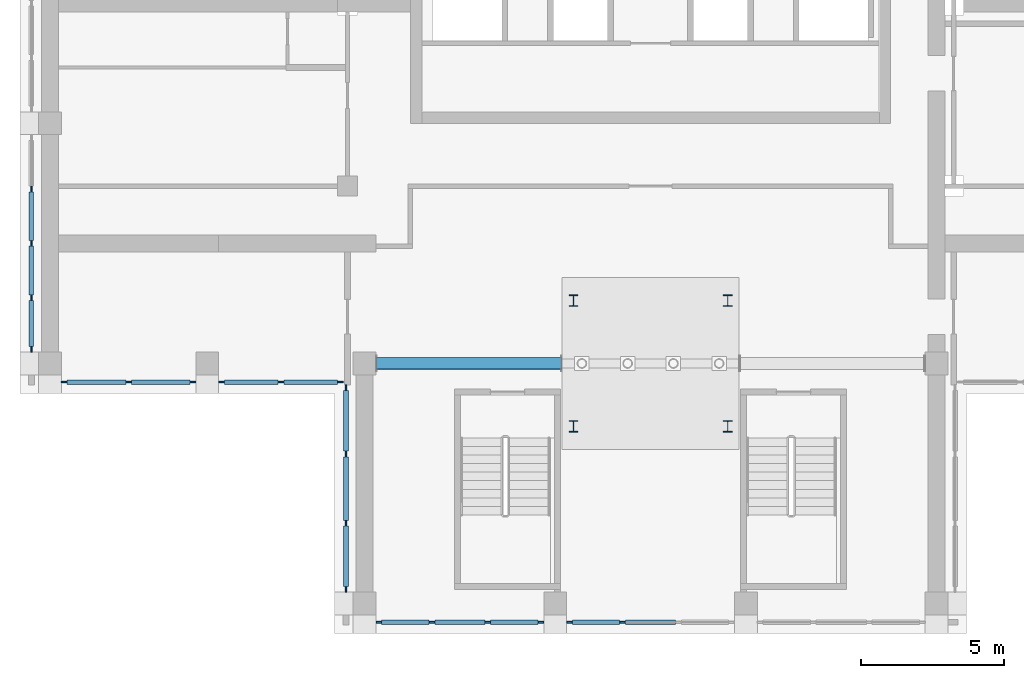
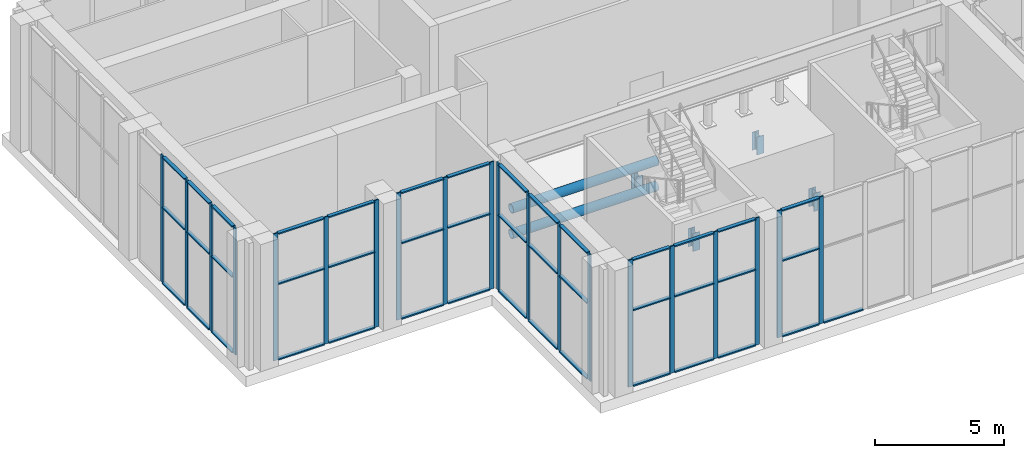
# One storey, part 2 of 14: 65 members, 4 columns, 6 elements without a shape of their own.
"""IFC4 building model written with IfcOpenShell, lengths in metres."""

import ifcopenshell
import ifcopenshell.guid

model = None  # the IFC model being written
_history = None  # IfcOwnerHistory: only IFC2X3 demands one
_inside = {}  # id of a spatial element -> (the spatial element, [elements in it])
_under = {}  # id of a project, library or spatial element -> (it, [spatial elements below it])
_declared = {}  # id of a project -> (the project, [libraries it declares])
_typed = {}  # id of a type object -> (the type object, [elements of that type])
_made_of = {}  # id of a material, layer set ... -> (it, [elements and type objects made of it])


def new_model(schema):
    """Start an empty IFC model of exactly this schema.

    Asked for "IFC4X3", IfcOpenShell would pick the latest addendum, in which some entities
    have other attributes; the version numbers below select the first issue.
    IFC2X3 requires an IfcOwnerHistory on every rooted entity: one is made here for all.
    """
    global model, _history
    if schema == "IFC4X3":
        model = ifcopenshell.file(schema_version=(4, 3, 0, 0))
    else:
        model = ifcopenshell.file(schema=schema)
    _inside.clear()
    _under.clear()
    _declared.clear()
    _typed.clear()
    _made_of.clear()
    _history = None
    if model.schema == "IFC2X3":
        org = make("IfcOrganization", Name="unknown")
        user = make(
            "IfcPersonAndOrganization",
            ThePerson=make("IfcPerson", FamilyName="unknown"),
            TheOrganization=org,
        )
        app = make(
            "IfcApplication",
            ApplicationDeveloper=org,
            Version="unknown",
            ApplicationFullName="unknown",
            ApplicationIdentifier="unknown",
        )
        _history = make(
            "IfcOwnerHistory",
            OwningUser=user,
            OwningApplication=app,
            ChangeAction="ADDED",
            CreationDate=0,
        )
    return model


def make(cls, **values):
    """One entity of the class cls with the attributes given. An attribute that is None is left unset."""
    return model.create_entity(
        cls, **{name: value for name, value in values.items() if value is not None}
    )


def rooted(cls, **values):
    """An entity with a GlobalId (a new one), such as an element, a storey or a relation."""
    return make(cls, GlobalId=ifcopenshell.guid.new(), OwnerHistory=_history, **values)


def si_unit(unit_type, name, prefix=None):
    """IfcSIUnit, for example si_unit("LENGTHUNIT", "METRE", prefix="MILLI")."""
    return make("IfcSIUnit", UnitType=unit_type, Prefix=prefix, Name=name)


def assignment(units):
    """IfcUnitAssignment: the units of a project."""
    return None if units is None else make("IfcUnitAssignment", Units=units)


def point(xyz):
    """IfcCartesianPoint."""
    return None if xyz is None else make("IfcCartesianPoint", Coordinates=xyz)


def direction(xyz):
    """IfcDirection."""
    return None if xyz is None else make("IfcDirection", DirectionRatios=xyz)


def frame(location, z_axis=None, x_axis=None):
    """IfcAxis2Placement3D, a coordinate frame: its origin and axes. An axis left out is left unset."""
    return make(
        "IfcAxis2Placement3D",
        Location=point(location),
        Axis=direction(z_axis),
        RefDirection=direction(x_axis),
    )


def frame_2d(location, x_axis=None):
    """IfcAxis2Placement2D, a coordinate frame in the plane: its origin and x axis."""
    return make(
        "IfcAxis2Placement2D", Location=point(location), RefDirection=direction(x_axis)
    )


def origin():
    """The frame at (0, 0, 0) with its axes left unset."""
    return frame((0.0, 0.0, 0.0))


def origin_2d():
    """The frame at (0, 0) in the plane with its x axis left unset."""
    return frame_2d((0.0, 0.0))


def place(relative_to, where):
    """IfcLocalPlacement: puts the frame where relative to a parent placement (None: the world)."""
    return make(
        "IfcLocalPlacement", PlacementRelTo=relative_to, RelativePlacement=where
    )


def context(
    kind, dimensions, precision=None, world=None, true_north=None, identifier=None
):
    """IfcGeometricRepresentationContext, for example the 3D "Model" context."""
    return make(
        "IfcGeometricRepresentationContext",
        ContextIdentifier=identifier,
        ContextType=kind,
        CoordinateSpaceDimension=dimensions,
        Precision=precision,
        WorldCoordinateSystem=world,
        TrueNorth=true_north,
    )


def subcontext(parent, identifier, kind, view, scale=None):
    """IfcGeometricRepresentationSubContext, for example "Body" below "Model"."""
    return make(
        "IfcGeometricRepresentationSubContext",
        ContextIdentifier=identifier,
        ContextType=kind,
        ParentContext=parent,
        TargetScale=scale,
        TargetView=view,
    )


def project(units=None, contexts=None):
    """IfcProject with its units and contexts."""
    return rooted(
        "IfcProject",
        Name="project",
        RepresentationContexts=contexts,
        UnitsInContext=assignment(units),
    )


def spatial(cls, under=None, at=None, **own):
    """A site, building, storey or space (cls), placed at a placement, below another one or the project."""
    s = rooted(cls, ObjectPlacement=at, **own)
    if under is not None:
        _under.setdefault(under.id(), (under, []))[1].append(s)
    return s


def profile(cls, at=None, kind="AREA", **sizes):
    """A parametric profile (cls). Its sizes go by their IFC names, for example OverallWidth=200.0."""
    return make(cls, ProfileType=kind, Position=at, **sizes)


def rectangle(**sizes):
    """IfcRectangleProfileDef."""
    return profile("IfcRectangleProfileDef", **sizes)


def hollow_circle(**sizes):
    """IfcCircleHollowProfileDef."""
    return profile("IfcCircleHollowProfileDef", **sizes)


def i_section(**sizes):
    """IfcIShapeProfileDef."""
    return profile("IfcIShapeProfileDef", **sizes)


def extrude(swept, where, along, depth):
    """IfcExtrudedAreaSolid: the profile swept, set in the frame where, extruded along a direction by depth."""
    return make(
        "IfcExtrudedAreaSolid",
        SweptArea=swept,
        Position=where,
        ExtrudedDirection=direction(along),
        Depth=depth,
    )


def shape(context_of_items, identifier, shape_type, items):
    """IfcShapeRepresentation: the items that make up one representation, for example the "Body"."""
    return make(
        "IfcShapeRepresentation",
        ContextOfItems=context_of_items,
        RepresentationIdentifier=identifier,
        RepresentationType=shape_type,
        Items=items,
    )


def material(Name=None, Category=None):
    """IfcMaterial."""
    return make("IfcMaterial", Name=Name, Category=Category)


def material_profile(
    of_material, cross_section, Name=None, Category=None, Priority=None
):
    """IfcMaterialProfile: a cross section and its material."""
    return make(
        "IfcMaterialProfile",
        Name=Name,
        Material=of_material,
        Profile=cross_section,
        Priority=Priority,
        Category=Category,
    )


def profile_set(profiles, Name=None, composite=None):
    """IfcMaterialProfileSet."""
    return make(
        "IfcMaterialProfileSet",
        Name=Name,
        MaterialProfiles=profiles,
        CompositeProfile=composite,
    )


def made_of(thing, what):
    """Note that an element or type object is made of a material, layer set ...; save() writes the relation."""
    if what is not None:
        _made_of.setdefault(what.id(), (what, []))[1].append(thing)
    return thing


def type_object(cls, material=None, **own):
    """A type object (cls), such as IfcWallType, which elements share."""
    return made_of(rooted(cls, **own), material)


def element(
    cls,
    number,
    at=None,
    inside=None,
    cuts=None,
    type_object=None,
    material=None,
    context=None,
    identifier="Body",
    shape_type=None,
    held_by="IfcProductDefinitionShape",
    body=None,
    shapes=None,
    **own,
):
    """One element of the class cls, such as IfcWall. Its Tag is "e" and its number.

    at: its placement. inside: the storey or other place that contains it. cuts: it is an
    opening in that element (IfcRelVoidsElement). A single representation is given by context,
    identifier, shape_type and body (its items); several are given by shapes. held_by: the class
    of the entity that holds the representations. save() writes the other relations.
    """
    e = rooted(cls, Tag="e%d" % number, ObjectPlacement=at, **own)
    if body is not None:
        shapes = [shape(context, identifier, shape_type, body)]
    if shapes is not None:
        e.Representation = make(held_by, Representations=shapes)
    if inside is not None:
        _inside.setdefault(inside.id(), (inside, []))[1].append(e)
    if cuts is not None:
        rooted(
            "IfcRelVoidsElement", RelatingBuildingElement=cuts, RelatedOpeningElement=e
        )
    if type_object is not None:
        _typed.setdefault(type_object.id(), (type_object, []))[1].append(e)
    return made_of(e, material)


def aggregate(whole, parts):
    """IfcRelAggregates: a whole, such as a stair, and the parts it consists of."""
    return rooted("IfcRelAggregates", RelatingObject=whole, RelatedObjects=parts)


def save(model, path):
    """Write the relations noted so far, then the file.

    IfcRelAggregates (storeys below a building ...), IfcRelContainedInSpatialStructure (elements
    in a storey), IfcRelDefinesByType, IfcRelAssociatesMaterial and IfcRelDeclares: one each for
    every whole, place, type object, material and project.
    """
    for whole, parts in _under.values():
        aggregate(whole, parts)
    for where, things in _inside.values():
        rooted(
            "IfcRelContainedInSpatialStructure",
            RelatedElements=things,
            RelatingStructure=where,
        )
    for kind, things in _typed.values():
        rooted("IfcRelDefinesByType", RelatedObjects=things, RelatingType=kind)
    for what, things in _made_of.values():
        rooted("IfcRelAssociatesMaterial", RelatedObjects=things, RelatingMaterial=what)
    for by, libraries in _declared.values():
        rooted("IfcRelDeclares", RelatingContext=by, RelatedDefinitions=libraries)
    model.write(path)


model = new_model("IFC4")

# Units and contexts
model_context = context("Model", 3, precision=1e-05, world=origin(), true_north=direction((0.0, 1.0)))
body_context = subcontext(model_context, "Body", "Model", "MODEL_VIEW")
ifc_project = project(units=[si_unit("LENGTHUNIT", "METRE"), si_unit("AREAUNIT", "SQUARE_METRE"), si_unit("VOLUMEUNIT", "CUBIC_METRE"), si_unit("PLANEANGLEUNIT", "RADIAN"), si_unit("MASSUNIT", "GRAM", prefix="KILO")], contexts=[model_context])

# Site, building, storey
site_placement = place(None, origin())
site = spatial("IfcSite", under=ifc_project, at=site_placement, CompositionType="ELEMENT")
building_placement = place(site_placement, origin())
building = spatial("IfcBuilding", under=site, at=building_placement, Name="Vermilion Ogive Tower", CompositionType="ELEMENT")
storey_placement = place(building_placement, frame((0.0, 0.0, 278.35009765625)))
storey = spatial("IfcBuildingStorey", under=building, at=storey_placement, Name="L73", CompositionType="ELEMENT", Elevation=278.35009765625)

# Columns
ifc_material_1 = material(Name="Steel S355", Category="steel")
ifc_material_profile_1 = material_profile(ifc_material_1, i_section(OverallWidth=0.300048828125, OverallDepth=0.39990234375, WebThickness=0.013427734375, FlangeThickness=0.02392578125, FilletRadius=0.027099609375, at=origin_2d()), Name="HEB 400")
ifc_profile_set_1 = profile_set([ifc_material_profile_1], Name="Steel S355")
column_type = type_object("IfcColumnType", Name="Tuned mass bearing post HEB 400", PredefinedType="COLUMN", material=ifc_profile_set_1)
for number, where, z_axis, x_axis, name in (
    (1, (-2.699951171875, -6.39990234375, 0.0), (0.0, 0.0, 1.0), (1.0, 0.0, 0.0), "Tuned mass bearing post 1"),
    (2, (-2.699951171875, -2.0, 0.0), (0.0, 0.0, 1.0), (1.0, 0.0, 0.0), "Tuned mass bearing post 2"),
    (3, (2.699951171875, -6.39990234375, 0.0), (0.0, 0.0, 1.0), (1.0, 0.0, 0.0), "Tuned mass bearing post 3"),
    (4, (2.699951171875, -2.0, 0.0), (0.0, 0.0, 1.0), (1.0, 0.0, 0.0), "Tuned mass bearing post 4"),
):
    element("IfcColumn", number, at=place(storey_placement, frame(where, z_axis=z_axis, x_axis=x_axis)), inside=storey, type_object=column_type, Name=name, PredefinedType="COLUMN", context=body_context, shape_type="SweptSolid", body=[
        extrude(i_section(OverallWidth=0.300048828125, OverallDepth=0.39990234375, WebThickness=0.013427734375, FlangeThickness=0.02392578125, FilletRadius=0.027099609375, at=origin_2d()), origin(), (0.0, 0.0, 1.0), 0.849853515625),
    ])

# Curtain wall, members
ifc_material_2 = material(Name="Laminated solar-control glazing in aluminium frame", Category="aluminium")
curtain_wall_type = type_object("IfcCurtainWallType", Name="Curtain wall CW4", PredefinedType="NOTDEFINED", material=ifc_material_2)
curtain_wall_1_placement = place(storey_placement, origin())
curtain_wall_1 = element("IfcCurtainWall", 5, at=curtain_wall_1_placement, inside=storey, type_object=curtain_wall_type, Name="CW4 glazing S1", PredefinedType="NOTDEFINED")
ifc_material_3 = material(Name="Aluminium mullion", Category="aluminium")
ifc_material_profile_2 = material_profile(ifc_material_3, rectangle(XDim=0.06005859375, YDim=0.199951171875, at=origin_2d()), Name="AL 60x200")
ifc_profile_set_2 = profile_set([ifc_material_profile_2], Name="Aluminium mullion")
member_type_1 = type_object("IfcMemberType", Name="CW4 mullion 60x200", PredefinedType="MULLION", material=ifc_profile_set_2)
member_1_placement = place(storey_placement, frame((-9.5, -13.25, 0.0), z_axis=(0.0, 0.0, 1.0), x_axis=(0.0, 1.0, 0.0)))
member_1 = element("IfcMember", 6, at=member_1_placement, type_object=member_type_1, Name="CW4-S1 mullion 1", PredefinedType="MULLION", context=body_context, shape_type="SweptSolid", body=[
    extrude(rectangle(XDim=0.06005859375, YDim=0.199951171875, at=origin_2d()), origin(), (0.0, 0.0, 1.0), 6.0),
])
member_2_placement = place(storey_placement, frame((-7.64453125, -13.25, 0.0), z_axis=(0.0, 0.0, 1.0), x_axis=(0.0, 1.0, 0.0)))
member_2 = element("IfcMember", 7, at=member_2_placement, type_object=member_type_1, Name="CW4-S1 mullion 2", PredefinedType="MULLION", context=body_context, shape_type="SweptSolid", body=[
    extrude(rectangle(XDim=0.06005859375, YDim=0.199951171875, at=origin_2d()), origin(), (0.0, 0.0, 1.0), 6.0),
])
member_3_placement = place(storey_placement, frame((-5.68896484375, -13.25, 0.0), z_axis=(0.0, 0.0, 1.0), x_axis=(0.0, 1.0, 0.0)))
member_3 = element("IfcMember", 8, at=member_3_placement, type_object=member_type_1, Name="CW4-S1 mullion 3", PredefinedType="MULLION", context=body_context, shape_type="SweptSolid", body=[
    extrude(rectangle(XDim=0.06005859375, YDim=0.199951171875, at=origin_2d()), origin(), (0.0, 0.0, 1.0), 6.0),
])
member_4_placement = place(storey_placement, frame((-3.833251953125, -13.25, 0.0), z_axis=(0.0, 0.0, 1.0), x_axis=(0.0, 1.0, 0.0)))
member_4 = element("IfcMember", 9, at=member_4_placement, type_object=member_type_1, Name="CW4-S1 mullion 4", PredefinedType="MULLION", context=body_context, shape_type="SweptSolid", body=[
    extrude(rectangle(XDim=0.06005859375, YDim=0.199951171875, at=origin_2d()), origin(), (0.0, 0.0, 1.0), 6.0),
])

curtain_wall_2_placement = place(storey_placement, origin())
curtain_wall_2 = element("IfcCurtainWall", 10, at=curtain_wall_2_placement, inside=storey, type_object=curtain_wall_type, Name="CW4 glazing S2", PredefinedType="NOTDEFINED")
member_5_placement = place(storey_placement, frame((-2.833251953125, -13.25, 0.0), z_axis=(0.0, 0.0, 1.0), x_axis=(0.0, 1.0, 0.0)))
member_5 = element("IfcMember", 11, at=member_5_placement, type_object=member_type_1, Name="CW4-S2 mullion 1", PredefinedType="MULLION", context=body_context, shape_type="SweptSolid", body=[
    extrude(rectangle(XDim=0.06005859375, YDim=0.199951171875, at=origin_2d()), origin(), (0.0, 0.0, 1.0), 6.0),
])
member_6_placement = place(storey_placement, frame((-0.977783203125, -13.25, 0.0), z_axis=(0.0, 0.0, 1.0), x_axis=(0.0, 1.0, 0.0)))
member_6 = element("IfcMember", 12, at=member_6_placement, type_object=member_type_1, Name="CW4-S2 mullion 2", PredefinedType="MULLION", context=body_context, shape_type="SweptSolid", body=[
    extrude(rectangle(XDim=0.06005859375, YDim=0.199951171875, at=origin_2d()), origin(), (0.0, 0.0, 1.0), 6.0),
])

curtain_wall_3_placement = place(storey_placement, origin())
curtain_wall_3 = element("IfcCurtainWall", 13, at=curtain_wall_3_placement, inside=storey, type_object=curtain_wall_type, Name="CW4 glazing W2", PredefinedType="NOTDEFINED")
member_7_placement = place(storey_placement, frame((-21.64990234375, 1.89990234375, 0.0), z_axis=(0.0, 0.0, 1.0), x_axis=(1.0, 0.0, 0.0)))
member_7 = element("IfcMember", 14, at=member_7_placement, type_object=member_type_1, Name="CW4-W2 mullion 2", PredefinedType="MULLION", context=body_context, shape_type="SweptSolid", body=[
    extrude(rectangle(XDim=0.06005859375, YDim=0.199951171875, at=origin_2d()), origin(), (0.0, 0.0, 1.0), 6.0),
])
member_8_placement = place(storey_placement, frame((-21.64990234375, 0.0, 0.0), z_axis=(0.0, 0.0, 1.0), x_axis=(1.0, 0.0, 0.0)))
member_8 = element("IfcMember", 15, at=member_8_placement, type_object=member_type_1, Name="CW4-W2 mullion 3", PredefinedType="MULLION", context=body_context, shape_type="SweptSolid", body=[
    extrude(rectangle(XDim=0.06005859375, YDim=0.199951171875, at=origin_2d()), origin(), (0.0, 0.0, 1.0), 6.0),
])
member_9_placement = place(storey_placement, frame((-21.64990234375, -1.89990234375, 0.0), z_axis=(0.0, 0.0, 1.0), x_axis=(1.0, 0.0, 0.0)))
member_9 = element("IfcMember", 16, at=member_9_placement, type_object=member_type_1, Name="CW4-W2 mullion 4", PredefinedType="MULLION", context=body_context, shape_type="SweptSolid", body=[
    extrude(rectangle(XDim=0.06005859375, YDim=0.199951171875, at=origin_2d()), origin(), (0.0, 0.0, 1.0), 6.0),
])
member_10_placement = place(storey_placement, frame((-21.64990234375, -3.699951171875, 0.0), z_axis=(0.0, 0.0, 1.0), x_axis=(1.0, 0.0, 0.0)))
member_10 = element("IfcMember", 17, at=member_10_placement, type_object=member_type_1, Name="CW4-W2 mullion 5", PredefinedType="MULLION", context=body_context, shape_type="SweptSolid", body=[
    extrude(rectangle(XDim=0.06005859375, YDim=0.199951171875, at=origin_2d()), origin(), (0.0, 0.0, 1.0), 6.0),
])

curtain_wall_4_placement = place(storey_placement, origin())
curtain_wall_4 = element("IfcCurtainWall", 18, at=curtain_wall_4_placement, inside=storey, type_object=curtain_wall_type, Name="CW4 glazing X71", PredefinedType="NOTDEFINED")
member_11_placement = place(storey_placement, frame((-20.5, -4.85009765625, 0.0), z_axis=(0.0, 0.0, 1.0), x_axis=(0.0, 1.0, 0.0)))
member_11 = element("IfcMember", 19, at=member_11_placement, type_object=member_type_1, Name="CW4-X71 mullion 1", PredefinedType="MULLION", context=body_context, shape_type="SweptSolid", body=[
    extrude(rectangle(XDim=0.06005859375, YDim=0.199951171875, at=origin_2d()), origin(), (0.0, 0.0, 1.0), 6.0),
])
member_12_placement = place(storey_placement, frame((-18.25, -4.85009765625, 0.0), z_axis=(0.0, 0.0, 1.0), x_axis=(0.0, 1.0, 0.0)))
member_12 = element("IfcMember", 20, at=member_12_placement, type_object=member_type_1, Name="CW4-X71 mullion 2", PredefinedType="MULLION", context=body_context, shape_type="SweptSolid", body=[
    extrude(rectangle(XDim=0.06005859375, YDim=0.199951171875, at=origin_2d()), origin(), (0.0, 0.0, 1.0), 6.0),
])
member_13_placement = place(storey_placement, frame((-16.0, -4.85009765625, 0.0), z_axis=(0.0, 0.0, 1.0), x_axis=(0.0, 1.0, 0.0)))
member_13 = element("IfcMember", 21, at=member_13_placement, type_object=member_type_1, Name="CW4-X71 mullion 3", PredefinedType="MULLION", context=body_context, shape_type="SweptSolid", body=[
    extrude(rectangle(XDim=0.06005859375, YDim=0.199951171875, at=origin_2d()), origin(), (0.0, 0.0, 1.0), 6.0),
])

curtain_wall_5_placement = place(storey_placement, origin())
curtain_wall_5 = element("IfcCurtainWall", 22, at=curtain_wall_5_placement, inside=storey, type_object=curtain_wall_type, Name="CW4 glazing X72", PredefinedType="NOTDEFINED")
member_14_placement = place(storey_placement, frame((-15.0, -4.85009765625, 0.0), z_axis=(0.0, 0.0, 1.0), x_axis=(0.0, 1.0, 0.0)))
member_14 = element("IfcMember", 23, at=member_14_placement, type_object=member_type_1, Name="CW4-X72 mullion 1", PredefinedType="MULLION", context=body_context, shape_type="SweptSolid", body=[
    extrude(rectangle(XDim=0.06005859375, YDim=0.199951171875, at=origin_2d()), origin(), (0.0, 0.0, 1.0), 6.0),
])
member_15_placement = place(storey_placement, frame((-12.925048828125, -4.85009765625, 0.0), z_axis=(0.0, 0.0, 1.0), x_axis=(0.0, 1.0, 0.0)))
member_15 = element("IfcMember", 24, at=member_15_placement, type_object=member_type_1, Name="CW4-X72 mullion 2", PredefinedType="MULLION", context=body_context, shape_type="SweptSolid", body=[
    extrude(rectangle(XDim=0.06005859375, YDim=0.199951171875, at=origin_2d()), origin(), (0.0, 0.0, 1.0), 6.0),
])
member_16_placement = place(storey_placement, frame((-10.85009765625, -4.85009765625, 0.0), z_axis=(0.0, 0.0, 1.0), x_axis=(0.0, 1.0, 0.0)))
member_16 = element("IfcMember", 25, at=member_16_placement, type_object=member_type_1, Name="CW4-X72 mullion 3", PredefinedType="MULLION", context=body_context, shape_type="SweptSolid", body=[
    extrude(rectangle(XDim=0.06005859375, YDim=0.199951171875, at=origin_2d()), origin(), (0.0, 0.0, 1.0), 6.0),
])

curtain_wall_6_placement = place(storey_placement, origin())
curtain_wall_6 = element("IfcCurtainWall", 26, at=curtain_wall_6_placement, inside=storey, type_object=curtain_wall_type, Name="CW4 glazing X81", PredefinedType="NOTDEFINED")
member_17_placement = place(storey_placement, frame((-10.64990234375, -5.050048828125, 0.0), z_axis=(0.0, 0.0, 1.0), x_axis=(1.0, 0.0, 0.0)))
member_17 = element("IfcMember", 27, at=member_17_placement, type_object=member_type_1, Name="CW4-X81 mullion 1", PredefinedType="MULLION", context=body_context, shape_type="SweptSolid", body=[
    extrude(rectangle(XDim=0.06005859375, YDim=0.199951171875, at=origin_2d()), origin(), (0.0, 0.0, 1.0), 6.0),
])
member_18_placement = place(storey_placement, frame((-10.64990234375, -7.36669921875, 0.0), z_axis=(0.0, 0.0, 1.0), x_axis=(1.0, 0.0, 0.0)))
member_18 = element("IfcMember", 28, at=member_18_placement, type_object=member_type_1, Name="CW4-X81 mullion 2", PredefinedType="MULLION", context=body_context, shape_type="SweptSolid", body=[
    extrude(rectangle(XDim=0.06005859375, YDim=0.199951171875, at=origin_2d()), origin(), (0.0, 0.0, 1.0), 6.0),
])
member_19_placement = place(storey_placement, frame((-10.64990234375, -9.783447265625, 0.0), z_axis=(0.0, 0.0, 1.0), x_axis=(1.0, 0.0, 0.0)))
member_19 = element("IfcMember", 29, at=member_19_placement, type_object=member_type_1, Name="CW4-X81 mullion 3", PredefinedType="MULLION", context=body_context, shape_type="SweptSolid", body=[
    extrude(rectangle(XDim=0.06005859375, YDim=0.199951171875, at=origin_2d()), origin(), (0.0, 0.0, 1.0), 6.0),
])
member_20_placement = place(storey_placement, frame((-10.64990234375, -12.10009765625, 0.0), z_axis=(0.0, 0.0, 1.0), x_axis=(1.0, 0.0, 0.0)))
member_20 = element("IfcMember", 30, at=member_20_placement, type_object=member_type_1, Name="CW4-X81 mullion 4", PredefinedType="MULLION", context=body_context, shape_type="SweptSolid", body=[
    extrude(rectangle(XDim=0.06005859375, YDim=0.199951171875, at=origin_2d()), origin(), (0.0, 0.0, 1.0), 6.0),
])

# Member
ifc_material_4 = material(Name="Aluminium transom", Category="aluminium")
ifc_material_profile_3 = material_profile(ifc_material_4, rectangle(XDim=0.159912109375, YDim=0.06005859375, at=origin_2d()), Name="AL 60x160")
ifc_profile_set_3 = profile_set([ifc_material_profile_3], Name="Aluminium transom")
member_type_2 = type_object("IfcMemberType", Name="CW4 transom 60x160", PredefinedType="USERDEFINED", material=ifc_profile_set_3)
member_21_placement = place(storey_placement, frame((-9.39990234375, -13.25, 0.02978515625), z_axis=(1.0, 0.0, 0.0), x_axis=(0.0, 1.0, 0.0)))
member_21 = element("IfcMember", 31, at=member_21_placement, type_object=member_type_2, Name="CW4-S1 transom 1.1", ObjectType="TRANSOM", PredefinedType="USERDEFINED", context=body_context, shape_type="SweptSolid", body=[
    extrude(rectangle(XDim=0.159912109375, YDim=0.06005859375, at=origin_2d()), origin(), (0.0, 0.0, 1.0), 1.655517578125),
])

member_22_placement = place(storey_placement, frame((-9.39990234375, -13.25, 3.599853515625), z_axis=(1.0, 0.0, 0.0), x_axis=(0.0, 1.0, 0.0)))
member_22 = element("IfcMember", 32, at=member_22_placement, type_object=member_type_2, Name="CW4-S1 transom 1.2", ObjectType="TRANSOM", PredefinedType="USERDEFINED", context=body_context, shape_type="SweptSolid", body=[
    extrude(rectangle(XDim=0.159912109375, YDim=0.06005859375, at=origin_2d()), origin(), (0.0, 0.0, 1.0), 1.655517578125),
])

member_23_placement = place(storey_placement, frame((-9.39990234375, -13.25, 5.969970703125), z_axis=(1.0, 0.0, 0.0), x_axis=(0.0, 1.0, 0.0)))
member_23 = element("IfcMember", 33, at=member_23_placement, type_object=member_type_2, Name="CW4-S1 transom 1.3", ObjectType="TRANSOM", PredefinedType="USERDEFINED", context=body_context, shape_type="SweptSolid", body=[
    extrude(rectangle(XDim=0.159912109375, YDim=0.06005859375, at=origin_2d()), origin(), (0.0, 0.0, 1.0), 1.655517578125),
])

member_24_placement = place(storey_placement, frame((-7.54443359375, -13.25, 0.02978515625), z_axis=(1.0, 0.0, 0.0), x_axis=(0.0, 1.0, 0.0)))
member_24 = element("IfcMember", 34, at=member_24_placement, type_object=member_type_2, Name="CW4-S1 transom 2.1", ObjectType="TRANSOM", PredefinedType="USERDEFINED", context=body_context, shape_type="SweptSolid", body=[
    extrude(rectangle(XDim=0.159912109375, YDim=0.06005859375, at=origin_2d()), origin(), (0.0, 0.0, 1.0), 1.755615234375),
])

member_25_placement = place(storey_placement, frame((-7.54443359375, -13.25, 3.599853515625), z_axis=(1.0, 0.0, 0.0), x_axis=(0.0, 1.0, 0.0)))
member_25 = element("IfcMember", 35, at=member_25_placement, type_object=member_type_2, Name="CW4-S1 transom 2.2", ObjectType="TRANSOM", PredefinedType="USERDEFINED", context=body_context, shape_type="SweptSolid", body=[
    extrude(rectangle(XDim=0.159912109375, YDim=0.06005859375, at=origin_2d()), origin(), (0.0, 0.0, 1.0), 1.755615234375),
])

member_26_placement = place(storey_placement, frame((-7.54443359375, -13.25, 5.969970703125), z_axis=(1.0, 0.0, 0.0), x_axis=(0.0, 1.0, 0.0)))
member_26 = element("IfcMember", 36, at=member_26_placement, type_object=member_type_2, Name="CW4-S1 transom 2.3", ObjectType="TRANSOM", PredefinedType="USERDEFINED", context=body_context, shape_type="SweptSolid", body=[
    extrude(rectangle(XDim=0.159912109375, YDim=0.06005859375, at=origin_2d()), origin(), (0.0, 0.0, 1.0), 1.755615234375),
])

member_27_placement = place(storey_placement, frame((-5.5888671875, -13.25, 0.02978515625), z_axis=(1.0, 0.0, 0.0), x_axis=(0.0, 1.0, 0.0)))
member_27 = element("IfcMember", 37, at=member_27_placement, type_object=member_type_2, Name="CW4-S1 transom 3.1", ObjectType="TRANSOM", PredefinedType="USERDEFINED", context=body_context, shape_type="SweptSolid", body=[
    extrude(rectangle(XDim=0.159912109375, YDim=0.06005859375, at=origin_2d()), origin(), (0.0, 0.0, 1.0), 1.655517578125),
])

member_28_placement = place(storey_placement, frame((-5.5888671875, -13.25, 3.599853515625), z_axis=(1.0, 0.0, 0.0), x_axis=(0.0, 1.0, 0.0)))
member_28 = element("IfcMember", 38, at=member_28_placement, type_object=member_type_2, Name="CW4-S1 transom 3.2", ObjectType="TRANSOM", PredefinedType="USERDEFINED", context=body_context, shape_type="SweptSolid", body=[
    extrude(rectangle(XDim=0.159912109375, YDim=0.06005859375, at=origin_2d()), origin(), (0.0, 0.0, 1.0), 1.655517578125),
])

member_29_placement = place(storey_placement, frame((-5.5888671875, -13.25, 5.969970703125), z_axis=(1.0, 0.0, 0.0), x_axis=(0.0, 1.0, 0.0)))
member_29 = element("IfcMember", 39, at=member_29_placement, type_object=member_type_2, Name="CW4-S1 transom 3.3", ObjectType="TRANSOM", PredefinedType="USERDEFINED", context=body_context, shape_type="SweptSolid", body=[
    extrude(rectangle(XDim=0.159912109375, YDim=0.06005859375, at=origin_2d()), origin(), (0.0, 0.0, 1.0), 1.655517578125),
])

aggregate(curtain_wall_1, [member_1, member_2, member_3, member_4, member_21, member_22, member_23, member_24, member_25, member_26, member_27, member_28, member_29])

member_30_placement = place(storey_placement, frame((-2.7333984375, -13.25, 0.02978515625), z_axis=(1.0, 0.0, 0.0), x_axis=(0.0, 1.0, 0.0)))
member_30 = element("IfcMember", 40, at=member_30_placement, type_object=member_type_2, Name="CW4-S2 transom 1.1", ObjectType="TRANSOM", PredefinedType="USERDEFINED", context=body_context, shape_type="SweptSolid", body=[
    extrude(rectangle(XDim=0.159912109375, YDim=0.06005859375, at=origin_2d()), origin(), (0.0, 0.0, 1.0), 1.655517578125),
])

member_31_placement = place(storey_placement, frame((-2.7333984375, -13.25, 3.599853515625), z_axis=(1.0, 0.0, 0.0), x_axis=(0.0, 1.0, 0.0)))
member_31 = element("IfcMember", 41, at=member_31_placement, type_object=member_type_2, Name="CW4-S2 transom 1.2", ObjectType="TRANSOM", PredefinedType="USERDEFINED", context=body_context, shape_type="SweptSolid", body=[
    extrude(rectangle(XDim=0.159912109375, YDim=0.06005859375, at=origin_2d()), origin(), (0.0, 0.0, 1.0), 1.655517578125),
])

member_32_placement = place(storey_placement, frame((-2.7333984375, -13.25, 5.969970703125), z_axis=(1.0, 0.0, 0.0), x_axis=(0.0, 1.0, 0.0)))
member_32 = element("IfcMember", 42, at=member_32_placement, type_object=member_type_2, Name="CW4-S2 transom 1.3", ObjectType="TRANSOM", PredefinedType="USERDEFINED", context=body_context, shape_type="SweptSolid", body=[
    extrude(rectangle(XDim=0.159912109375, YDim=0.06005859375, at=origin_2d()), origin(), (0.0, 0.0, 1.0), 1.655517578125),
])

member_33_placement = place(storey_placement, frame((-0.877685546875, -13.25, 0.02978515625), z_axis=(1.0, 0.0, 0.0), x_axis=(0.0, 1.0, 0.0)))
member_33 = element("IfcMember", 43, at=member_33_placement, type_object=member_type_2, Name="CW4-S2 transom 2.1", ObjectType="TRANSOM", PredefinedType="USERDEFINED", context=body_context, shape_type="SweptSolid", body=[
    extrude(rectangle(XDim=0.159912109375, YDim=0.06005859375, at=origin_2d()), origin(), (0.0, 0.0, 1.0), 1.75537109375),
])

aggregate(curtain_wall_2, [member_5, member_6, member_30, member_31, member_32, member_33])

member_34_placement = place(storey_placement, frame((-21.64990234375, 1.800048828125, 0.02978515625), z_axis=(0.0, -1.0, 0.0), x_axis=(1.0, 0.0, 0.0)))
member_34 = element("IfcMember", 44, at=member_34_placement, type_object=member_type_2, Name="CW4-W2 transom 2.1", ObjectType="TRANSOM", PredefinedType="USERDEFINED", context=body_context, shape_type="SweptSolid", body=[
    extrude(rectangle(XDim=0.159912109375, YDim=0.06005859375, at=origin_2d()), origin(), (0.0, 0.0, 1.0), 1.699951171875),
])

member_35_placement = place(storey_placement, frame((-21.64990234375, 1.800048828125, 3.599853515625), z_axis=(0.0, -1.0, 0.0), x_axis=(1.0, 0.0, 0.0)))
member_35 = element("IfcMember", 45, at=member_35_placement, type_object=member_type_2, Name="CW4-W2 transom 2.2", ObjectType="TRANSOM", PredefinedType="USERDEFINED", context=body_context, shape_type="SweptSolid", body=[
    extrude(rectangle(XDim=0.159912109375, YDim=0.06005859375, at=origin_2d()), origin(), (0.0, 0.0, 1.0), 1.699951171875),
])

member_36_placement = place(storey_placement, frame((-21.64990234375, 1.800048828125, 5.969970703125), z_axis=(0.0, -1.0, 0.0), x_axis=(1.0, 0.0, 0.0)))
member_36 = element("IfcMember", 46, at=member_36_placement, type_object=member_type_2, Name="CW4-W2 transom 2.3", ObjectType="TRANSOM", PredefinedType="USERDEFINED", context=body_context, shape_type="SweptSolid", body=[
    extrude(rectangle(XDim=0.159912109375, YDim=0.06005859375, at=origin_2d()), origin(), (0.0, 0.0, 1.0), 1.699951171875),
])

member_37_placement = place(storey_placement, frame((-21.64990234375, -0.10009765625, 0.02978515625), z_axis=(0.0, -1.0, 0.0), x_axis=(1.0, 0.0, 0.0)))
member_37 = element("IfcMember", 47, at=member_37_placement, type_object=member_type_2, Name="CW4-W2 transom 3.1", ObjectType="TRANSOM", PredefinedType="USERDEFINED", context=body_context, shape_type="SweptSolid", body=[
    extrude(rectangle(XDim=0.159912109375, YDim=0.06005859375, at=origin_2d()), origin(), (0.0, 0.0, 1.0), 1.699951171875),
])

member_38_placement = place(storey_placement, frame((-21.64990234375, -0.10009765625, 3.599853515625), z_axis=(0.0, -1.0, 0.0), x_axis=(1.0, 0.0, 0.0)))
member_38 = element("IfcMember", 48, at=member_38_placement, type_object=member_type_2, Name="CW4-W2 transom 3.2", ObjectType="TRANSOM", PredefinedType="USERDEFINED", context=body_context, shape_type="SweptSolid", body=[
    extrude(rectangle(XDim=0.159912109375, YDim=0.06005859375, at=origin_2d()), origin(), (0.0, 0.0, 1.0), 1.699951171875),
])

member_39_placement = place(storey_placement, frame((-21.64990234375, -0.10009765625, 5.969970703125), z_axis=(0.0, -1.0, 0.0), x_axis=(1.0, 0.0, 0.0)))
member_39 = element("IfcMember", 49, at=member_39_placement, type_object=member_type_2, Name="CW4-W2 transom 3.3", ObjectType="TRANSOM", PredefinedType="USERDEFINED", context=body_context, shape_type="SweptSolid", body=[
    extrude(rectangle(XDim=0.159912109375, YDim=0.06005859375, at=origin_2d()), origin(), (0.0, 0.0, 1.0), 1.699951171875),
])

member_40_placement = place(storey_placement, frame((-21.64990234375, -2.0, 0.02978515625), z_axis=(0.0, -1.0, 0.0), x_axis=(1.0, 0.0, 0.0)))
member_40 = element("IfcMember", 50, at=member_40_placement, type_object=member_type_2, Name="CW4-W2 transom 4.1", ObjectType="TRANSOM", PredefinedType="USERDEFINED", context=body_context, shape_type="SweptSolid", body=[
    extrude(rectangle(XDim=0.159912109375, YDim=0.06005859375, at=origin_2d()), origin(), (0.0, 0.0, 1.0), 1.60009765625),
])

member_41_placement = place(storey_placement, frame((-21.64990234375, -2.0, 3.599853515625), z_axis=(0.0, -1.0, 0.0), x_axis=(1.0, 0.0, 0.0)))
member_41 = element("IfcMember", 51, at=member_41_placement, type_object=member_type_2, Name="CW4-W2 transom 4.2", ObjectType="TRANSOM", PredefinedType="USERDEFINED", context=body_context, shape_type="SweptSolid", body=[
    extrude(rectangle(XDim=0.159912109375, YDim=0.06005859375, at=origin_2d()), origin(), (0.0, 0.0, 1.0), 1.60009765625),
])

member_42_placement = place(storey_placement, frame((-21.64990234375, -2.0, 5.969970703125), z_axis=(0.0, -1.0, 0.0), x_axis=(1.0, 0.0, 0.0)))
member_42 = element("IfcMember", 52, at=member_42_placement, type_object=member_type_2, Name="CW4-W2 transom 4.3", ObjectType="TRANSOM", PredefinedType="USERDEFINED", context=body_context, shape_type="SweptSolid", body=[
    extrude(rectangle(XDim=0.159912109375, YDim=0.06005859375, at=origin_2d()), origin(), (0.0, 0.0, 1.0), 1.60009765625),
])

aggregate(curtain_wall_3, [member_7, member_8, member_9, member_10, member_34, member_35, member_36, member_37, member_38, member_39, member_40, member_41, member_42])

member_43_placement = place(storey_placement, frame((-20.39990234375, -4.85009765625, 0.02978515625), z_axis=(1.0, 0.0, 0.0), x_axis=(0.0, 1.0, 0.0)))
member_43 = element("IfcMember", 53, at=member_43_placement, type_object=member_type_2, Name="CW4-X71 transom 1.1", ObjectType="TRANSOM", PredefinedType="USERDEFINED", context=body_context, shape_type="SweptSolid", body=[
    extrude(rectangle(XDim=0.159912109375, YDim=0.06005859375, at=origin_2d()), origin(), (0.0, 0.0, 1.0), 2.0498046875),
])

member_44_placement = place(storey_placement, frame((-20.39990234375, -4.85009765625, 3.599853515625), z_axis=(1.0, 0.0, 0.0), x_axis=(0.0, 1.0, 0.0)))
member_44 = element("IfcMember", 54, at=member_44_placement, type_object=member_type_2, Name="CW4-X71 transom 1.2", ObjectType="TRANSOM", PredefinedType="USERDEFINED", context=body_context, shape_type="SweptSolid", body=[
    extrude(rectangle(XDim=0.159912109375, YDim=0.06005859375, at=origin_2d()), origin(), (0.0, 0.0, 1.0), 2.0498046875),
])

member_45_placement = place(storey_placement, frame((-20.39990234375, -4.85009765625, 5.969970703125), z_axis=(1.0, 0.0, 0.0), x_axis=(0.0, 1.0, 0.0)))
member_45 = element("IfcMember", 55, at=member_45_placement, type_object=member_type_2, Name="CW4-X71 transom 1.3", ObjectType="TRANSOM", PredefinedType="USERDEFINED", context=body_context, shape_type="SweptSolid", body=[
    extrude(rectangle(XDim=0.159912109375, YDim=0.06005859375, at=origin_2d()), origin(), (0.0, 0.0, 1.0), 2.0498046875),
])

member_46_placement = place(storey_placement, frame((-18.14990234375, -4.85009765625, 0.02978515625), z_axis=(1.0, 0.0, 0.0), x_axis=(0.0, 1.0, 0.0)))
member_46 = element("IfcMember", 56, at=member_46_placement, type_object=member_type_2, Name="CW4-X71 transom 2.1", ObjectType="TRANSOM", PredefinedType="USERDEFINED", context=body_context, shape_type="SweptSolid", body=[
    extrude(rectangle(XDim=0.159912109375, YDim=0.06005859375, at=origin_2d()), origin(), (0.0, 0.0, 1.0), 2.0498046875),
])

member_47_placement = place(storey_placement, frame((-18.14990234375, -4.85009765625, 3.599853515625), z_axis=(1.0, 0.0, 0.0), x_axis=(0.0, 1.0, 0.0)))
member_47 = element("IfcMember", 57, at=member_47_placement, type_object=member_type_2, Name="CW4-X71 transom 2.2", ObjectType="TRANSOM", PredefinedType="USERDEFINED", context=body_context, shape_type="SweptSolid", body=[
    extrude(rectangle(XDim=0.159912109375, YDim=0.06005859375, at=origin_2d()), origin(), (0.0, 0.0, 1.0), 2.0498046875),
])

member_48_placement = place(storey_placement, frame((-18.14990234375, -4.85009765625, 5.969970703125), z_axis=(1.0, 0.0, 0.0), x_axis=(0.0, 1.0, 0.0)))
member_48 = element("IfcMember", 58, at=member_48_placement, type_object=member_type_2, Name="CW4-X71 transom 2.3", ObjectType="TRANSOM", PredefinedType="USERDEFINED", context=body_context, shape_type="SweptSolid", body=[
    extrude(rectangle(XDim=0.159912109375, YDim=0.06005859375, at=origin_2d()), origin(), (0.0, 0.0, 1.0), 2.0498046875),
])

aggregate(curtain_wall_4, [member_11, member_12, member_13, member_43, member_44, member_45, member_46, member_47, member_48])

member_49_placement = place(storey_placement, frame((-14.89990234375, -4.85009765625, 0.02978515625), z_axis=(1.0, 0.0, 0.0), x_axis=(0.0, 1.0, 0.0)))
member_49 = element("IfcMember", 59, at=member_49_placement, type_object=member_type_2, Name="CW4-X72 transom 1.1", ObjectType="TRANSOM", PredefinedType="USERDEFINED", context=body_context, shape_type="SweptSolid", body=[
    extrude(rectangle(XDim=0.159912109375, YDim=0.06005859375, at=origin_2d()), origin(), (0.0, 0.0, 1.0), 1.875),
])

member_50_placement = place(storey_placement, frame((-14.89990234375, -4.85009765625, 3.599853515625), z_axis=(1.0, 0.0, 0.0), x_axis=(0.0, 1.0, 0.0)))
member_50 = element("IfcMember", 60, at=member_50_placement, type_object=member_type_2, Name="CW4-X72 transom 1.2", ObjectType="TRANSOM", PredefinedType="USERDEFINED", context=body_context, shape_type="SweptSolid", body=[
    extrude(rectangle(XDim=0.159912109375, YDim=0.06005859375, at=origin_2d()), origin(), (0.0, 0.0, 1.0), 1.875),
])

member_51_placement = place(storey_placement, frame((-14.89990234375, -4.85009765625, 5.969970703125), z_axis=(1.0, 0.0, 0.0), x_axis=(0.0, 1.0, 0.0)))
member_51 = element("IfcMember", 61, at=member_51_placement, type_object=member_type_2, Name="CW4-X72 transom 1.3", ObjectType="TRANSOM", PredefinedType="USERDEFINED", context=body_context, shape_type="SweptSolid", body=[
    extrude(rectangle(XDim=0.159912109375, YDim=0.06005859375, at=origin_2d()), origin(), (0.0, 0.0, 1.0), 1.875),
])

member_52_placement = place(storey_placement, frame((-12.824951171875, -4.85009765625, 0.02978515625), z_axis=(1.0, 0.0, 0.0), x_axis=(0.0, 1.0, 0.0)))
member_52 = element("IfcMember", 62, at=member_52_placement, type_object=member_type_2, Name="CW4-X72 transom 2.1", ObjectType="TRANSOM", PredefinedType="USERDEFINED", context=body_context, shape_type="SweptSolid", body=[
    extrude(rectangle(XDim=0.159912109375, YDim=0.06005859375, at=origin_2d()), origin(), (0.0, 0.0, 1.0), 1.875),
])

member_53_placement = place(storey_placement, frame((-12.824951171875, -4.85009765625, 3.599853515625), z_axis=(1.0, 0.0, 0.0), x_axis=(0.0, 1.0, 0.0)))
member_53 = element("IfcMember", 63, at=member_53_placement, type_object=member_type_2, Name="CW4-X72 transom 2.2", ObjectType="TRANSOM", PredefinedType="USERDEFINED", context=body_context, shape_type="SweptSolid", body=[
    extrude(rectangle(XDim=0.159912109375, YDim=0.06005859375, at=origin_2d()), origin(), (0.0, 0.0, 1.0), 1.875),
])

member_54_placement = place(storey_placement, frame((-12.824951171875, -4.85009765625, 5.969970703125), z_axis=(1.0, 0.0, 0.0), x_axis=(0.0, 1.0, 0.0)))
member_54 = element("IfcMember", 64, at=member_54_placement, type_object=member_type_2, Name="CW4-X72 transom 2.3", ObjectType="TRANSOM", PredefinedType="USERDEFINED", context=body_context, shape_type="SweptSolid", body=[
    extrude(rectangle(XDim=0.159912109375, YDim=0.06005859375, at=origin_2d()), origin(), (0.0, 0.0, 1.0), 1.875),
])

aggregate(curtain_wall_5, [member_14, member_15, member_16, member_49, member_50, member_51, member_52, member_53, member_54])

member_55_placement = place(storey_placement, frame((-10.64990234375, -5.14990234375, 0.02978515625), z_axis=(0.0, -1.0, 0.0), x_axis=(1.0, 0.0, 0.0)))
member_55 = element("IfcMember", 65, at=member_55_placement, type_object=member_type_2, Name="CW4-X81 transom 1.1", ObjectType="TRANSOM", PredefinedType="USERDEFINED", context=body_context, shape_type="SweptSolid", body=[
    extrude(rectangle(XDim=0.159912109375, YDim=0.06005859375, at=origin_2d()), origin(), (0.0, 0.0, 1.0), 2.11669921875),
])

member_56_placement = place(storey_placement, frame((-10.64990234375, -5.14990234375, 3.599853515625), z_axis=(0.0, -1.0, 0.0), x_axis=(1.0, 0.0, 0.0)))
member_56 = element("IfcMember", 66, at=member_56_placement, type_object=member_type_2, Name="CW4-X81 transom 1.2", ObjectType="TRANSOM", PredefinedType="USERDEFINED", context=body_context, shape_type="SweptSolid", body=[
    extrude(rectangle(XDim=0.159912109375, YDim=0.06005859375, at=origin_2d()), origin(), (0.0, 0.0, 1.0), 2.11669921875),
])

member_57_placement = place(storey_placement, frame((-10.64990234375, -5.14990234375, 5.969970703125), z_axis=(0.0, -1.0, 0.0), x_axis=(1.0, 0.0, 0.0)))
member_57 = element("IfcMember", 67, at=member_57_placement, type_object=member_type_2, Name="CW4-X81 transom 1.3", ObjectType="TRANSOM", PredefinedType="USERDEFINED", context=body_context, shape_type="SweptSolid", body=[
    extrude(rectangle(XDim=0.159912109375, YDim=0.06005859375, at=origin_2d()), origin(), (0.0, 0.0, 1.0), 2.11669921875),
])

member_58_placement = place(storey_placement, frame((-10.64990234375, -7.466552734375, 0.02978515625), z_axis=(0.0, -1.0, 0.0), x_axis=(1.0, 0.0, 0.0)))
member_58 = element("IfcMember", 68, at=member_58_placement, type_object=member_type_2, Name="CW4-X81 transom 2.1", ObjectType="TRANSOM", PredefinedType="USERDEFINED", context=body_context, shape_type="SweptSolid", body=[
    extrude(rectangle(XDim=0.159912109375, YDim=0.06005859375, at=origin_2d()), origin(), (0.0, 0.0, 1.0), 2.216796875),
])

member_59_placement = place(storey_placement, frame((-10.64990234375, -7.466552734375, 3.599853515625), z_axis=(0.0, -1.0, 0.0), x_axis=(1.0, 0.0, 0.0)))
member_59 = element("IfcMember", 69, at=member_59_placement, type_object=member_type_2, Name="CW4-X81 transom 2.2", ObjectType="TRANSOM", PredefinedType="USERDEFINED", context=body_context, shape_type="SweptSolid", body=[
    extrude(rectangle(XDim=0.159912109375, YDim=0.06005859375, at=origin_2d()), origin(), (0.0, 0.0, 1.0), 2.216796875),
])

member_60_placement = place(storey_placement, frame((-10.64990234375, -7.466552734375, 5.969970703125), z_axis=(0.0, -1.0, 0.0), x_axis=(1.0, 0.0, 0.0)))
member_60 = element("IfcMember", 70, at=member_60_placement, type_object=member_type_2, Name="CW4-X81 transom 2.3", ObjectType="TRANSOM", PredefinedType="USERDEFINED", context=body_context, shape_type="SweptSolid", body=[
    extrude(rectangle(XDim=0.159912109375, YDim=0.06005859375, at=origin_2d()), origin(), (0.0, 0.0, 1.0), 2.216796875),
])

member_61_placement = place(storey_placement, frame((-10.64990234375, -9.88330078125, 0.02978515625), z_axis=(0.0, -1.0, 0.0), x_axis=(1.0, 0.0, 0.0)))
member_61 = element("IfcMember", 71, at=member_61_placement, type_object=member_type_2, Name="CW4-X81 transom 3.1", ObjectType="TRANSOM", PredefinedType="USERDEFINED", context=body_context, shape_type="SweptSolid", body=[
    extrude(rectangle(XDim=0.159912109375, YDim=0.06005859375, at=origin_2d()), origin(), (0.0, 0.0, 1.0), 2.11669921875),
])

member_62_placement = place(storey_placement, frame((-10.64990234375, -9.88330078125, 3.599853515625), z_axis=(0.0, -1.0, 0.0), x_axis=(1.0, 0.0, 0.0)))
member_62 = element("IfcMember", 72, at=member_62_placement, type_object=member_type_2, Name="CW4-X81 transom 3.2", ObjectType="TRANSOM", PredefinedType="USERDEFINED", context=body_context, shape_type="SweptSolid", body=[
    extrude(rectangle(XDim=0.159912109375, YDim=0.06005859375, at=origin_2d()), origin(), (0.0, 0.0, 1.0), 2.11669921875),
])

member_63_placement = place(storey_placement, frame((-10.64990234375, -9.88330078125, 5.969970703125), z_axis=(0.0, -1.0, 0.0), x_axis=(1.0, 0.0, 0.0)))
member_63 = element("IfcMember", 73, at=member_63_placement, type_object=member_type_2, Name="CW4-X81 transom 3.3", ObjectType="TRANSOM", PredefinedType="USERDEFINED", context=body_context, shape_type="SweptSolid", body=[
    extrude(rectangle(XDim=0.159912109375, YDim=0.06005859375, at=origin_2d()), origin(), (0.0, 0.0, 1.0), 2.11669921875),
])

aggregate(curtain_wall_6, [member_17, member_18, member_19, member_20, member_55, member_56, member_57, member_58, member_59, member_60, member_61, member_62, member_63])

# Members
ifc_material_5 = material(Name="Steel S355", Category="steel")
ifc_material_profile_4 = material_profile(ifc_material_5, hollow_circle(Radius=0.203125, WallThickness=0.01611328125, at=origin_2d()), Name="CHS 406.4x16")
ifc_profile_set_4 = profile_set([ifc_material_profile_4], Name="Steel S355")
member_type_3 = type_object("IfcMemberType", Name="Tuned mass viscous damper CHS 406.4x16", PredefinedType="BRACE", material=ifc_profile_set_4)
for number, where, z_axis, x_axis, name in (
    (74, (-3.10009765625, -4.199951171875, 1.749755859375), (-1.0, 0.0, 0.0), (0.0, -1.0, 0.0), "Tuned mass viscous damper 1"),
    (75, (-3.10009765625, -4.199951171875, 2.949951171875), (-1.0, 0.0, 0.0), (0.0, -1.0, 0.0), "Tuned mass viscous damper 2"),
):
    element("IfcMember", number, at=place(storey_placement, frame(where, z_axis=z_axis, x_axis=x_axis)), inside=storey, type_object=member_type_3, Name=name, PredefinedType="BRACE", context=body_context, shape_type="SweptSolid", body=[
        extrude(hollow_circle(Radius=0.203125, WallThickness=0.01611328125, at=origin_2d()), origin(), (0.0, 0.0, 1.0), 6.5),
    ])

save(model, "model.ifc")
